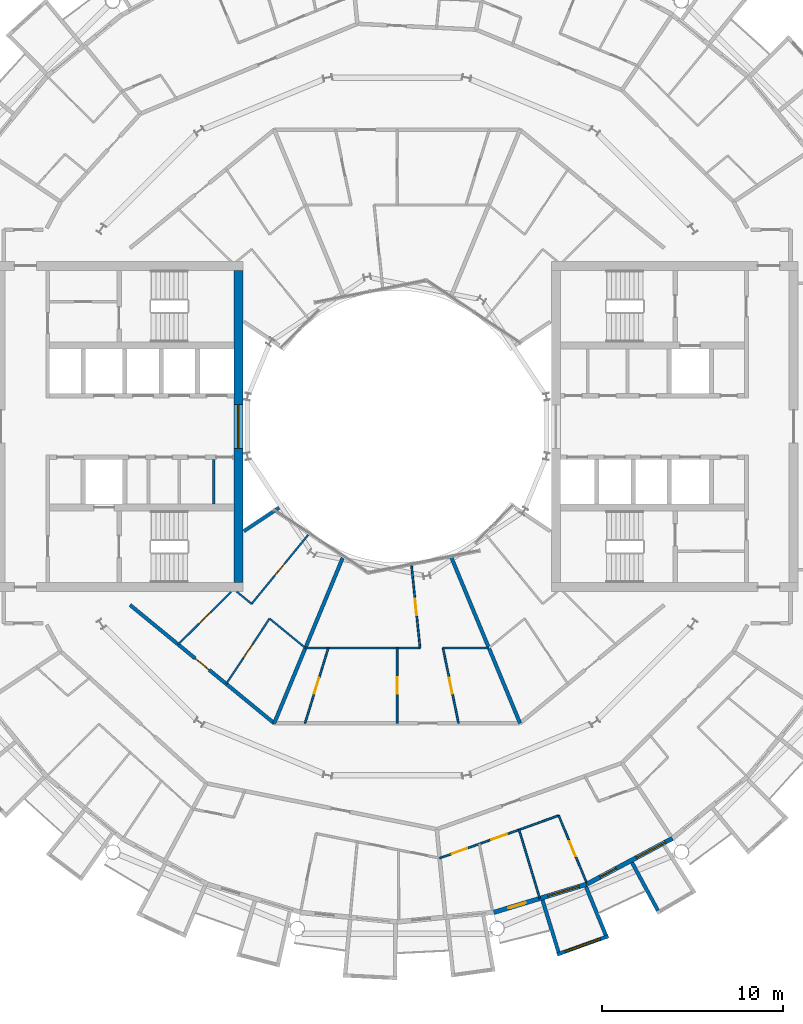
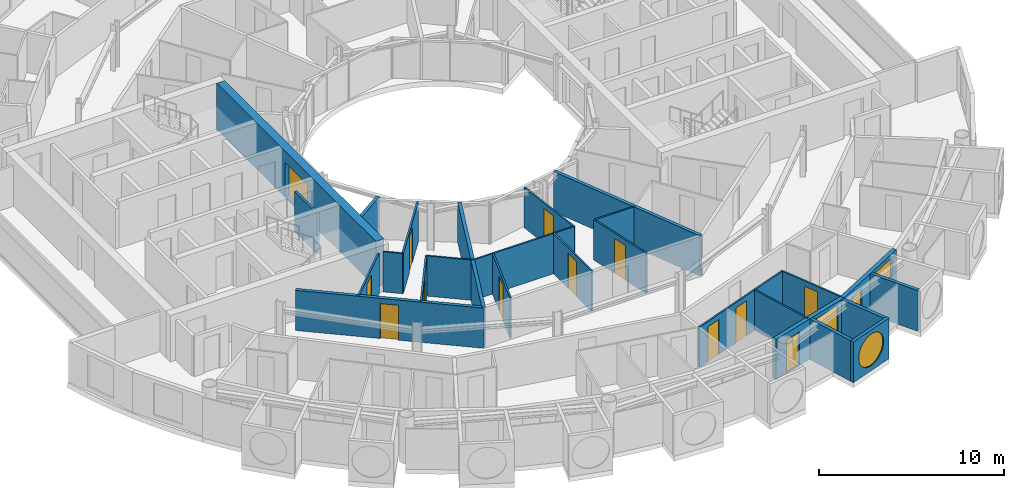
# One storey, part 16 of 26: 26 walls, 13 doors, 4 windows, 17 openings.
"""IFC4 building model written with IfcOpenShell, lengths in metres."""

from ifc_helpers import new_model, si_unit, direction, frame, frame_2d, origin, place, context, subcontext, project, spatial, rectangle, circle, extrude, material, layer, layer_set, type_object, element, fill, save


model = new_model("IFC4")

# Units and contexts
model_context = context("Model", 3, precision=1e-05, world=origin(), true_north=direction((0.0, 1.0)))
body_context = subcontext(model_context, "Body", "Model", "MODEL_VIEW")
ifc_project = project(units=[si_unit("LENGTHUNIT", "METRE"), si_unit("AREAUNIT", "SQUARE_METRE"), si_unit("VOLUMEUNIT", "CUBIC_METRE"), si_unit("PLANEANGLEUNIT", "RADIAN"), si_unit("MASSUNIT", "GRAM", prefix="KILO")], contexts=[model_context])

# Site, building, storey
site_placement = place(None, origin())
site = spatial("IfcSite", under=ifc_project, at=site_placement, CompositionType="ELEMENT")
building_placement = place(site_placement, origin())
building = spatial("IfcBuilding", under=site, at=building_placement, Name="Maasbend Ring Residences", CompositionType="ELEMENT")
storey_placement = place(building_placement, frame((0.0, 0.0, 176.85009765625)))
storey = spatial("IfcBuildingStorey", under=building, at=storey_placement, Name="L51", CompositionType="ELEMENT", Elevation=176.85009765625)

# Wall, opening, window
ifc_material_1 = material(Name="Concrete C60/75", Category="concrete")
ifc_layer_1 = layer(ifc_material_1, 0.5)
ifc_layer_set_1 = layer_set([ifc_layer_1], Name="Concrete C60/75")
wall_type_1 = type_object("IfcWallType", Name="CORE WALL 500 C60/75", PredefinedType="SHEAR", material=ifc_layer_set_1)
wall_1_placement = place(storey_placement, frame((-8.75, 8.60009765625, 0.0), z_axis=(0.0, 0.0, 1.0), x_axis=(0.0, -1.0, 0.0)))
wall_1 = element("IfcWall", 1, at=wall_1_placement, inside=storey, type_object=wall_type_1, Name="L51 core W wall PIN", PredefinedType="SHEAR", context=body_context, shape_type="SweptSolid", body=[
    extrude(rectangle(XDim=17.2001953125, YDim=0.5, at=frame_2d((8.60009765625, 0.0))), origin(), (0.0, 0.0, 1.0), 3.0498046875),
])
opening_1_placement = place(wall_1_placement, frame((7.39990234375, 0.0, 0.10009765625)))
opening_1 = element("IfcOpeningElement", 2, at=opening_1_placement, cuts=wall_1, Name="Opening W-W5101", PredefinedType="OPENING", context=body_context, shape_type="SweptSolid", body=[
    extrude(rectangle(XDim=2.39990234375, YDim=2.199951171875, at=frame_2d((1.199951171875, 1.10009765625))), frame((0.0, 0.260009765625, 0.0), z_axis=(0.0, -1.0, 0.0), x_axis=(1.0, 0.0, 0.0)), (0.0, 0.0, 1.0), 0.52001953125),
])
ifc_material_2 = material(Name="Aluminium frame and clear glass", Category="aluminium")
window_type_1 = type_object("IfcWindowType", Name="FIXED WINDOW 2400 X 2200", PartitioningType="SINGLE_PANEL", PredefinedType="WINDOW", material=ifc_material_2)
window_1_placement = place(opening_1_placement, origin())
window_1 = element("IfcWindow", 3, at=window_1_placement, inside=storey, type_object=window_type_1, Name="Lobby window L51", OverallHeight=2.199951171875, OverallWidth=2.39990234375, PartitioningType="SINGLE_PANEL", PredefinedType="WINDOW", context=body_context, shape_type="SweptSolid", body=[
    extrude(rectangle(XDim=2.39990234375, YDim=2.199951171875, at=frame_2d((1.199951171875, 1.10009765625))), frame((0.0, 0.030029296875, 0.0), z_axis=(0.0, -1.0, 0.0), x_axis=(1.0, 0.0, 0.0)), (0.0, 0.0, 1.0), 0.06005859375),
])
fill(opening_1, window_1)

# Wall, opening, door
ifc_material_3 = material(Name="Concrete C30/37", Category="concrete")
ifc_layer_2 = layer(ifc_material_3, 0.199951171875)
ifc_layer_set_2 = layer_set([ifc_layer_2], Name="Concrete C30/37")
wall_type_2 = type_object("IfcWallType", Name="CORRIDOR WALL 200 CONCRETE", PredefinedType="PARTITIONING", material=ifc_layer_set_2)
wall_2_placement = place(storey_placement, frame((-14.717041015625, -9.833984375, 0.0), z_axis=(0.0, 0.0, 1.0), x_axis=(0.773034536097, -0.634363938131, 0.0)))
wall_2 = element("IfcWall", 4, at=wall_2_placement, inside=storey, type_object=wall_type_2, Name="U-L51-w017", PredefinedType="PARTITIONING", context=body_context, shape_type="SweptSolid", body=[
    extrude(rectangle(XDim=10.276611328125, YDim=0.199951171875, at=frame_2d((5.13818359375, 0.0))), origin(), (0.0, 0.0, 1.0), 2.64990234375),
])
opening_2_placement = place(wall_2_placement, frame((4.637939453125, 0.0, 0.0)))
opening_2 = element("IfcOpeningElement", 5, at=opening_2_placement, cuts=wall_2, Name="Opening D-5152", PredefinedType="OPENING", context=body_context, shape_type="SweptSolid", body=[
    extrude(rectangle(XDim=1.0, YDim=2.300048828125, at=frame_2d((0.5, 1.14990234375))), frame((0.0, 0.10986328125, 0.0), z_axis=(0.0, -1.0, 0.0), x_axis=(1.0, 0.0, 0.0)), (0.0, 0.0, 1.0), 0.219970703125),
])
ifc_material_4 = material(Name="Timber, fire-rated, painted", Category="wood")
door_type_1 = type_object("IfcDoorType", Name="FLAT ENTRANCE DOOR 1000 X 2300 FIRE-RATED", OperationType="NOTDEFINED", PredefinedType="DOOR", material=ifc_material_4)
door_1_placement = place(opening_2_placement, origin())
door_1 = element("IfcDoor", 6, at=door_1_placement, inside=storey, type_object=door_type_1, Name="D-5152", OperationType="SINGLE_SWING_LEFT", OverallHeight=2.300048828125, OverallWidth=1.0, PredefinedType="DOOR", context=body_context, shape_type="SweptSolid", body=[
    extrude(rectangle(XDim=1.0, YDim=2.300048828125, at=frame_2d((0.5, 1.14990234375))), frame((0.0, 0.02490234375, 0.0), z_axis=(0.0, -1.0, 0.0), x_axis=(1.0, 0.0, 0.0)), (0.0, 0.0, 1.0), 0.050048828125),
])
fill(opening_2, door_1)

# Wall, opening, window
ifc_material_5 = material(Name="Pale anodised aluminium panel", Category="aluminium")
ifc_layer_3 = layer(ifc_material_5, 0.199951171875)
ifc_layer_set_3 = layer_set([ifc_layer_3], Name="EW-BOX")
wall_type_3 = type_object("IfcWallType", Name="EW-BOX", PredefinedType="SOLIDWALL", material=ifc_layer_set_3)
wall_3_placement = place(storey_placement, frame((8.820068359375, -29.093017578125, -0.030029296875), z_axis=(0.0, 0.0, 1.0), x_axis=(0.941461077774, 0.337121697664, 0.0)))
wall_3 = element("IfcWall", 7, at=wall_3_placement, inside=storey, type_object=wall_type_3, Name="Box front S14", PredefinedType="SOLIDWALL", context=body_context, shape_type="SweptSolid", body=[
    extrude(rectangle(XDim=2.9931640625, YDim=0.199951171875, at=frame_2d((1.49658203125, 0.0))), origin(), (0.0, 0.0, 1.0), 2.679931640625),
])
opening_3_placement = place(wall_3_placement, frame((0.45654296875, 0.0, 0.330078125)))
opening_3 = element("IfcOpeningElement", 8, at=opening_3_placement, cuts=wall_3, Name="Opening W-RD", PredefinedType="OPENING", context=body_context, shape_type="SweptSolid", body=[
    extrude(circle(Radius=1.0400390625, at=frame_2d((1.0400390625, 1.0400390625))), frame((0.0, 0.10986328125, 0.0), z_axis=(0.0, -1.0, 0.0), x_axis=(1.0, 0.0, 0.0)), (0.0, 0.0, 1.0), 0.219970703125),
])
ifc_material_6 = material(Name="Aluminium and clear glass", Category="aluminium")
window_type_2 = type_object("IfcWindowType", Name="W-RD", PartitioningType="SINGLE_PANEL", PredefinedType="WINDOW", material=ifc_material_6)
window_2_placement = place(opening_3_placement, origin())
window_2 = element("IfcWindow", 9, at=window_2_placement, inside=storey, type_object=window_type_2, Name="Round window S14", OverallHeight=2.080078125, OverallWidth=2.080078125, PartitioningType="SINGLE_PANEL", PredefinedType="WINDOW", context=body_context, shape_type="SweptSolid", body=[
    extrude(circle(Radius=1.0400390625, at=frame_2d((1.0400390625, 1.0400390625))), frame((0.0, 0.030029296875, 0.0), z_axis=(0.0, -1.0, 0.0), x_axis=(1.0, 0.0, 0.0)), (0.0, 0.0, 1.0), 0.06005859375),
])
fill(opening_3, window_2)

# Walls
wall_4_placement = place(storey_placement, frame((8.009033203125, -26.092041015625, -0.030029296875), z_axis=(0.0, 0.0, 1.0), x_axis=(0.293406695073, -0.955987715029, 0.0)))
element("IfcWall", 10, at=wall_4_placement, inside=storey, type_object=wall_type_3, Name="Box side wall S14 left", PredefinedType="SOLIDWALL", context=body_context, shape_type="SweptSolid", body=[
    extrude(rectangle(XDim=3.00634765625, YDim=0.199951171875, at=frame_2d((1.503173828125, 0.0))), origin(), (0.0, 0.0, 1.0), 2.679931640625),
])
wall_5_placement = place(storey_placement, frame((10.408935546875, -25.364013671875, -0.030029296875), z_axis=(0.0, 0.0, 1.0), x_axis=(0.379509886562, -0.925187681501, 0.0)))
element("IfcWall", 11, at=wall_5_placement, inside=storey, type_object=wall_type_3, Name="Box side wall S14 right", PredefinedType="SOLIDWALL", context=body_context, shape_type="SweptSolid", body=[
    extrude(rectangle(XDim=2.882568359375, YDim=0.199951171875, at=frame_2d((1.44140625, 0.0))), origin(), (0.0, 0.0, 1.0), 2.679931640625),
])
wall_6_placement = place(storey_placement, frame((12.945068359375, -24.029052734375, -0.030029296875), z_axis=(0.0, 0.0, 1.0), x_axis=(0.474424310775, -0.88029629861, 0.0)))
element("IfcWall", 12, at=wall_6_placement, inside=storey, type_object=wall_type_3, Name="Box side wall S16 left", PredefinedType="SOLIDWALL", context=body_context, shape_type="SweptSolid", body=[
    extrude(rectangle(XDim=3.005859375, YDim=0.199951171875, at=frame_2d((1.5029296875, 0.0))), origin(), (0.0, 0.0, 1.0), 2.679931640625),
])

# Wall, openings, door, window
ifc_material_7 = material(Name="Aluminium clad insulated panel", Category="aluminium")
ifc_layer_4 = layer(ifc_material_7, 0.25)
ifc_layer_set_4 = layer_set([ifc_layer_4], Name="EW-GL")
wall_type_4 = type_object("IfcWallType", Name="EW-GL", PredefinedType="SOLIDWALL", material=ifc_layer_set_4)
wall_7_placement = place(storey_placement, frame((5.325927734375, -26.77490234375, 0.0), z_axis=(0.0, 0.0, 1.0), x_axis=(0.956965678721, 0.290201119486, 0.0)))
wall_7 = element("IfcWall", 13, at=wall_7_placement, inside=storey, type_object=wall_type_4, Name="External wall S07", PredefinedType="SOLIDWALL", context=body_context, shape_type="SweptSolid", body=[
    extrude(rectangle(XDim=5.351318359375, YDim=0.25, at=frame_2d((2.67578125, 0.0))), origin(), (0.0, 0.0, 1.0), 2.64990234375),
])
opening_4_placement = place(wall_7_placement, frame((0.841064453125, 0.0, 0.0)))
opening_4 = element("IfcOpeningElement", 14, at=opening_4_placement, cuts=wall_7, Name="Opening D-LG", PredefinedType="OPENING", context=body_context, shape_type="SweptSolid", body=[
    extrude(rectangle(XDim=1.0, YDim=2.199951171875, at=frame_2d((0.5, 1.10009765625))), frame((0.0, 0.135009765625, 0.0), z_axis=(0.0, -1.0, 0.0), x_axis=(1.0, 0.0, 0.0)), (0.0, 0.0, 1.0), 0.27001953125),
])
opening_5_placement = place(wall_7_placement, frame((3.110595703125, 0.0, 0.300048828125)))
opening_5 = element("IfcOpeningElement", 15, at=opening_5_placement, cuts=wall_7, Name="Opening W-BX", PredefinedType="OPENING", context=body_context, shape_type="SweptSolid", body=[
    extrude(rectangle(XDim=1.800048828125, YDim=2.10009765625, at=frame_2d((0.89990234375, 1.050048828125))), frame((0.0, 0.135009765625, 0.0), z_axis=(0.0, -1.0, 0.0), x_axis=(1.0, 0.0, 0.0)), (0.0, 0.0, 1.0), 0.27001953125),
])
ifc_material_8 = material(Name="Aluminium and clear glass", Category="aluminium")
door_type_2 = type_object("IfcDoorType", Name="D-LG", OperationType="SINGLE_SWING_LEFT", PredefinedType="DOOR", material=ifc_material_8)
door_2_placement = place(opening_4_placement, origin())
door_2 = element("IfcDoor", 16, at=door_2_placement, inside=storey, type_object=door_type_2, Name="Loggia door S13", OperationType="SINGLE_SWING_LEFT", OverallHeight=2.199951171875, OverallWidth=1.0, PredefinedType="DOOR", context=body_context, shape_type="SweptSolid", body=[
    extrude(rectangle(XDim=1.0, YDim=2.199951171875, at=frame_2d((0.5, 1.10009765625))), frame((0.0, 0.02490234375, 0.0), z_axis=(0.0, -1.0, 0.0), x_axis=(1.0, 0.0, 0.0)), (0.0, 0.0, 1.0), 0.050048828125),
])
fill(opening_4, door_2)
ifc_material_9 = material(Name="Aluminium and clear glass", Category="aluminium")
window_type_3 = type_object("IfcWindowType", Name="W-BX", PartitioningType="DOUBLE_PANEL_VERTICAL", PredefinedType="WINDOW", material=ifc_material_9)
window_3_placement = place(opening_5_placement, origin())
window_3 = element("IfcWindow", 17, at=window_3_placement, inside=storey, type_object=window_type_3, Name="Window S14 room to box", OverallHeight=2.10009765625, OverallWidth=1.800048828125, PartitioningType="SINGLE_PANEL", PredefinedType="WINDOW", context=body_context, shape_type="SweptSolid", body=[
    extrude(rectangle(XDim=1.800048828125, YDim=2.10009765625, at=frame_2d((0.89990234375, 1.050048828125))), frame((0.0, 0.030029296875, 0.0), z_axis=(0.0, -1.0, 0.0), x_axis=(1.0, 0.0, 0.0)), (0.0, 0.0, 1.0), 0.06005859375),
])
fill(opening_5, window_3)

wall_8_placement = place(storey_placement, frame((10.447021484375, -25.221923828125, 0.0), z_axis=(0.0, 0.0, 1.0), x_axis=(0.881915646801, 0.471407246368, 0.0)))
wall_8 = element("IfcWall", 18, at=wall_8_placement, inside=storey, type_object=wall_type_4, Name="External wall S08", PredefinedType="SOLIDWALL", context=body_context, shape_type="SweptSolid", body=[
    extrude(rectangle(XDim=5.35205078125, YDim=0.25, at=frame_2d((2.676025390625, 0.0))), origin(), (0.0, 0.0, 1.0), 2.64990234375),
])
opening_6_placement = place(wall_8_placement, frame((0.841064453125, 0.0, 0.0)))
opening_6 = element("IfcOpeningElement", 19, at=opening_6_placement, cuts=wall_8, Name="Opening D-LG", PredefinedType="OPENING", context=body_context, shape_type="SweptSolid", body=[
    extrude(rectangle(XDim=1.0, YDim=2.199951171875, at=frame_2d((0.5, 1.10009765625))), frame((0.0, 0.135009765625, 0.0), z_axis=(0.0, -1.0, 0.0), x_axis=(1.0, 0.0, 0.0)), (0.0, 0.0, 1.0), 0.27001953125),
])
opening_7_placement = place(wall_8_placement, frame((3.110595703125, 0.0, 0.300048828125)))
opening_7 = element("IfcOpeningElement", 20, at=opening_7_placement, cuts=wall_8, Name="Opening W-BX", PredefinedType="OPENING", context=body_context, shape_type="SweptSolid", body=[
    extrude(rectangle(XDim=1.800048828125, YDim=2.10009765625, at=frame_2d((0.89990234375, 1.050048828125))), frame((0.0, 0.135009765625, 0.0), z_axis=(0.0, -1.0, 0.0), x_axis=(1.0, 0.0, 0.0)), (0.0, 0.0, 1.0), 0.27001953125),
])
door_3_placement = place(opening_6_placement, origin())
door_3 = element("IfcDoor", 21, at=door_3_placement, inside=storey, type_object=door_type_2, Name="Loggia door S15", OperationType="SINGLE_SWING_LEFT", OverallHeight=2.199951171875, OverallWidth=1.0, PredefinedType="DOOR", context=body_context, shape_type="SweptSolid", body=[
    extrude(rectangle(XDim=1.0, YDim=2.199951171875, at=frame_2d((0.5, 1.10009765625))), frame((0.0, 0.02490234375, 0.0), z_axis=(0.0, -1.0, 0.0), x_axis=(1.0, 0.0, 0.0)), (0.0, 0.0, 1.0), 0.050048828125),
])
fill(opening_6, door_3)
window_4_placement = place(opening_7_placement, origin())
window_4 = element("IfcWindow", 22, at=window_4_placement, inside=storey, type_object=window_type_3, Name="Window S16 room to box", OverallHeight=2.10009765625, OverallWidth=1.800048828125, PartitioningType="SINGLE_PANEL", PredefinedType="WINDOW", context=body_context, shape_type="SweptSolid", body=[
    extrude(rectangle(XDim=1.800048828125, YDim=2.10009765625, at=frame_2d((0.89990234375, 1.050048828125))), frame((0.0, 0.030029296875, 0.0), z_axis=(0.0, -1.0, 0.0), x_axis=(1.0, 0.0, 0.0)), (0.0, 0.0, 1.0), 0.06005859375),
])
fill(opening_7, window_4)

# Wall, openings, doors
ifc_material_10 = material(Name="Gypsum board on steel studs", Category="steel")
ifc_layer_5 = layer(ifc_material_10, 0.10009765625)
ifc_layer_set_5 = layer_set([ifc_layer_5], Name="PARTITION 100 GYPSUM")
wall_type_5 = type_object("IfcWallType", Name="PARTITION 100 GYPSUM", PredefinedType="PARTITIONING", material=ifc_layer_set_5)
wall_9_placement = place(storey_placement, frame((2.346923828125, -23.785888671875, 0.0), z_axis=(0.0, 0.0, 1.0), x_axis=(0.941468908751, 0.33709982773, 0.0)))
wall_9 = element("IfcWall", 23, at=wall_9_placement, inside=storey, type_object=wall_type_5, Name="U-L51-w005", PredefinedType="PARTITIONING", context=body_context, shape_type="SweptSolid", body=[
    extrude(rectangle(XDim=6.968017578125, YDim=0.10009765625, at=frame_2d((3.48388671875, 0.0))), origin(), (0.0, 0.0, 1.0), 2.64990234375),
])
opening_8_placement = place(wall_9_placement, frame((3.033935546875, 0.0, 0.0)))
opening_8 = element("IfcOpeningElement", 24, at=opening_8_placement, cuts=wall_9, Name="Opening D-5146", PredefinedType="OPENING", context=body_context, shape_type="SweptSolid", body=[
    extrude(rectangle(XDim=0.89990234375, YDim=2.300048828125, at=frame_2d((0.449951171875, 1.14990234375))), frame((0.0, 0.06005859375, 0.0), z_axis=(0.0, -1.0, 0.0), x_axis=(1.0, 0.0, 0.0)), (0.0, 0.0, 1.0), 0.1201171875),
])
opening_9_placement = place(wall_9_placement, frame((0.7080078125, 0.0, 0.0)))
opening_9 = element("IfcOpeningElement", 25, at=opening_9_placement, cuts=wall_9, Name="Opening D-5147", PredefinedType="OPENING", context=body_context, shape_type="SweptSolid", body=[
    extrude(rectangle(XDim=0.89990234375, YDim=2.300048828125, at=frame_2d((0.449951171875, 1.14990234375))), frame((0.0, 0.06005859375, 0.0), z_axis=(0.0, -1.0, 0.0), x_axis=(1.0, 0.0, 0.0)), (0.0, 0.0, 1.0), 0.1201171875),
])
ifc_material_11 = material(Name="Timber, painted", Category="wood")
door_type_3 = type_object("IfcDoorType", Name="INTERNAL DOOR 900 X 2300", OperationType="NOTDEFINED", PredefinedType="DOOR", material=ifc_material_11)
door_4_placement = place(opening_8_placement, origin())
door_4 = element("IfcDoor", 26, at=door_4_placement, inside=storey, type_object=door_type_3, Name="D-5146", OperationType="SINGLE_SWING_RIGHT", OverallHeight=2.300048828125, OverallWidth=0.89990234375, PredefinedType="DOOR", context=body_context, shape_type="SweptSolid", body=[
    extrude(rectangle(XDim=0.89990234375, YDim=2.300048828125, at=frame_2d((0.449951171875, 1.14990234375))), frame((0.0, 0.02490234375, 0.0), z_axis=(0.0, -1.0, 0.0), x_axis=(1.0, 0.0, 0.0)), (0.0, 0.0, 1.0), 0.050048828125),
])
fill(opening_8, door_4)
door_5_placement = place(opening_9_placement, origin())
door_5 = element("IfcDoor", 27, at=door_5_placement, inside=storey, type_object=door_type_3, Name="D-5147", OperationType="SINGLE_SWING_LEFT", OverallHeight=2.300048828125, OverallWidth=0.89990234375, PredefinedType="DOOR", context=body_context, shape_type="SweptSolid", body=[
    extrude(rectangle(XDim=0.89990234375, YDim=2.300048828125, at=frame_2d((0.449951171875, 1.14990234375))), frame((0.0, 0.02490234375, 0.0), z_axis=(0.0, -1.0, 0.0), x_axis=(1.0, 0.0, 0.0)), (0.0, 0.0, 1.0), 0.050048828125),
])
fill(opening_9, door_5)

# Walls
wall_10_placement = place(storey_placement, frame((-8.839111328125, -9.097900390625, 0.0), z_axis=(0.0, 0.0, 1.0), x_axis=(0.7731800648, -0.634186555673, 0.0)))
element("IfcWall", 28, at=wall_10_placement, inside=storey, type_object=wall_type_5, Name="U-L51-w020", PredefinedType="PARTITIONING", context=body_context, shape_type="SweptSolid", body=[
    extrude(rectangle(XDim=1.064453125, YDim=0.10009765625, at=frame_2d((0.5322265625, 0.0))), origin(), (0.0, 0.0, 1.0), 2.64990234375),
])
wall_11_placement = place(storey_placement, frame((-7.031005859375, -10.58203125, 0.0), z_axis=(0.0, 0.0, 1.0), x_axis=(0.772943675046, -0.634474645046, 0.0)))
element("IfcWall", 29, at=wall_11_placement, inside=storey, type_object=wall_type_5, Name="U-L51-w021", PredefinedType="PARTITIONING", context=body_context, shape_type="SweptSolid", body=[
    extrude(rectangle(XDim=2.556640625, YDim=0.10009765625, at=frame_2d((1.2783203125, 0.0))), origin(), (0.0, 0.0, 1.0), 2.64990234375),
])
wall_12_placement = place(storey_placement, frame((-5.054931640625, -12.2041015625, 0.0), z_axis=(0.0, 0.0, 1.0), x_axis=(1.0, 0.0, 0.0)))
element("IfcWall", 30, at=wall_12_placement, inside=storey, type_object=wall_type_5, Name="U-L51-w024", PredefinedType="PARTITIONING", context=body_context, shape_type="SweptSolid", body=[
    extrude(rectangle(XDim=6.31884765625, YDim=0.10009765625, at=frame_2d((3.159423828125, 0.0))), origin(), (0.0, 0.0, 1.0), 2.64990234375),
])
wall_13_placement = place(storey_placement, frame((2.527099609375, -12.2041015625, 0.0), z_axis=(0.0, 0.0, 1.0), x_axis=(1.0, 0.0, 0.0)))
element("IfcWall", 31, at=wall_13_placement, inside=storey, type_object=wall_type_5, Name="U-L51-w025", PredefinedType="PARTITIONING", context=body_context, shape_type="SweptSolid", body=[
    extrude(rectangle(XDim=2.52783203125, YDim=0.10009765625, at=frame_2d((1.263916015625, 0.0))), origin(), (0.0, 0.0, 1.0), 2.64990234375),
])

# Wall, opening, door
wall_14_placement = place(storey_placement, frame((-12.06494140625, -12.010986328125, 0.0), z_axis=(0.0, 0.0, 1.0), x_axis=(0.708793214553, 0.705416316088, 0.0)))
wall_14 = element("IfcWall", 32, at=wall_14_placement, inside=storey, type_object=wall_type_5, Name="U-L51-w044", PredefinedType="PARTITIONING", context=body_context, shape_type="SweptSolid", body=[
    extrude(rectangle(XDim=4.120849609375, YDim=0.10009765625, at=frame_2d((2.060546875, 0.0))), origin(), (0.0, 0.0, 1.0), 2.64990234375),
])
opening_10_placement = place(wall_14_placement, frame((1.611083984375, 0.0, 0.0)))
opening_10 = element("IfcOpeningElement", 33, at=opening_10_placement, cuts=wall_14, Name="Opening D-5154", PredefinedType="OPENING", context=body_context, shape_type="SweptSolid", body=[
    extrude(rectangle(XDim=0.89990234375, YDim=2.300048828125, at=frame_2d((0.449951171875, 1.14990234375))), frame((0.0, 0.06005859375, 0.0), z_axis=(0.0, -1.0, 0.0), x_axis=(1.0, 0.0, 0.0)), (0.0, 0.0, 1.0), 0.1201171875),
])
door_6_placement = place(opening_10_placement, origin())
door_6 = element("IfcDoor", 34, at=door_6_placement, inside=storey, type_object=door_type_3, Name="D-5154", OperationType="SINGLE_SWING_LEFT", OverallHeight=2.300048828125, OverallWidth=0.89990234375, PredefinedType="DOOR", context=body_context, shape_type="SweptSolid", body=[
    extrude(rectangle(XDim=0.89990234375, YDim=2.300048828125, at=frame_2d((0.449951171875, 1.14990234375))), frame((0.0, 0.02490234375, 0.0), z_axis=(0.0, -1.0, 0.0), x_axis=(1.0, 0.0, 0.0)), (0.0, 0.0, 1.0), 0.050048828125),
])
fill(opening_10, door_6)

wall_15_placement = place(storey_placement, frame((-9.41796875, -14.181884765625, 0.0), z_axis=(0.0, 0.0, 1.0), x_axis=(0.553303732327, 0.832979579457, 0.0)))
wall_15 = element("IfcWall", 35, at=wall_15_placement, inside=storey, type_object=wall_type_5, Name="U-L51-w047", PredefinedType="PARTITIONING", context=body_context, shape_type="SweptSolid", body=[
    extrude(rectangle(XDim=4.3193359375, YDim=0.10009765625, at=frame_2d((2.15966796875, 0.0))), origin(), (0.0, 0.0, 1.0), 2.64990234375),
])
opening_11_placement = place(wall_15_placement, frame((1.7099609375, 0.0, 0.0)))
opening_11 = element("IfcOpeningElement", 36, at=opening_11_placement, cuts=wall_15, Name="Opening D-5153", PredefinedType="OPENING", context=body_context, shape_type="SweptSolid", body=[
    extrude(rectangle(XDim=0.89990234375, YDim=2.300048828125, at=frame_2d((0.449951171875, 1.14990234375))), frame((0.0, 0.06005859375, 0.0), z_axis=(0.0, -1.0, 0.0), x_axis=(1.0, 0.0, 0.0)), (0.0, 0.0, 1.0), 0.1201171875),
])
door_7_placement = place(opening_11_placement, origin())
door_7 = element("IfcDoor", 37, at=door_7_placement, inside=storey, type_object=door_type_3, Name="D-5153", OperationType="SINGLE_SWING_RIGHT", OverallHeight=2.300048828125, OverallWidth=0.89990234375, PredefinedType="DOOR", context=body_context, shape_type="SweptSolid", body=[
    extrude(rectangle(XDim=0.89990234375, YDim=2.300048828125, at=frame_2d((0.449951171875, 1.14990234375))), frame((0.0, 0.02490234375, 0.0), z_axis=(0.0, -1.0, 0.0), x_axis=(1.0, 0.0, 0.0)), (0.0, 0.0, 1.0), 0.050048828125),
])
fill(opening_11, door_7)

wall_16_placement = place(storey_placement, frame((-8.01904296875, -9.77099609375, 0.0), z_axis=(0.0, 0.0, 1.0), x_axis=(0.634401778971, 0.773003481776, 0.0)))
wall_16 = element("IfcWall", 38, at=wall_16_placement, inside=storey, type_object=wall_type_5, Name="U-L51-w049", PredefinedType="PARTITIONING", context=body_context, shape_type="SweptSolid", body=[
    extrude(rectangle(XDim=4.919677734375, YDim=0.10009765625, at=frame_2d((2.4599609375, 0.0))), origin(), (0.0, 0.0, 1.0), 2.64990234375),
])
opening_12_placement = place(wall_16_placement, frame((2.010009765625, 0.0, 0.0)))
opening_12 = element("IfcOpeningElement", 39, at=opening_12_placement, cuts=wall_16, Name="Opening D-5155", PredefinedType="OPENING", context=body_context, shape_type="SweptSolid", body=[
    extrude(rectangle(XDim=0.89990234375, YDim=2.300048828125, at=frame_2d((0.449951171875, 1.14990234375))), frame((0.0, 0.06005859375, 0.0), z_axis=(0.0, -1.0, 0.0), x_axis=(1.0, 0.0, 0.0)), (0.0, 0.0, 1.0), 0.1201171875),
])
door_8_placement = place(opening_12_placement, origin())
door_8 = element("IfcDoor", 40, at=door_8_placement, inside=storey, type_object=door_type_3, Name="D-5155", OperationType="SINGLE_SWING_LEFT", OverallHeight=2.300048828125, OverallWidth=0.89990234375, PredefinedType="DOOR", context=body_context, shape_type="SweptSolid", body=[
    extrude(rectangle(XDim=0.89990234375, YDim=2.300048828125, at=frame_2d((0.449951171875, 1.14990234375))), frame((0.0, 0.02490234375, 0.0), z_axis=(0.0, -1.0, 0.0), x_axis=(1.0, 0.0, 0.0)), (0.0, 0.0, 1.0), 0.050048828125),
])
fill(opening_12, door_8)

wall_17_placement = place(storey_placement, frame((-5.080078125, -16.35302734375, 0.0), z_axis=(0.0, 0.0, 1.0), x_axis=(0.29670674532, 0.954968642041, 0.0)))
wall_17 = element("IfcWall", 41, at=wall_17_placement, inside=storey, type_object=wall_type_5, Name="U-L51-w055", PredefinedType="PARTITIONING", context=body_context, shape_type="SweptSolid", body=[
    extrude(rectangle(XDim=4.344482421875, YDim=0.10009765625, at=frame_2d((2.17236328125, 0.0))), origin(), (0.0, 0.0, 1.0), 2.64990234375),
])
opening_13_placement = place(wall_17_placement, frame((1.721923828125, 0.0, 0.0)))
opening_13 = element("IfcOpeningElement", 42, at=opening_13_placement, cuts=wall_17, Name="Opening D-5159", PredefinedType="OPENING", context=body_context, shape_type="SweptSolid", body=[
    extrude(rectangle(XDim=0.89990234375, YDim=2.300048828125, at=frame_2d((0.449951171875, 1.14990234375))), frame((0.0, 0.06005859375, 0.0), z_axis=(0.0, -1.0, 0.0), x_axis=(1.0, 0.0, 0.0)), (0.0, 0.0, 1.0), 0.1201171875),
])
door_9_placement = place(opening_13_placement, origin())
door_9 = element("IfcDoor", 43, at=door_9_placement, inside=storey, type_object=door_type_3, Name="D-5159", OperationType="SINGLE_SWING_LEFT", OverallHeight=2.300048828125, OverallWidth=0.89990234375, PredefinedType="DOOR", context=body_context, shape_type="SweptSolid", body=[
    extrude(rectangle(XDim=0.89990234375, YDim=2.300048828125, at=frame_2d((0.449951171875, 1.14990234375))), frame((0.0, 0.02490234375, 0.0), z_axis=(0.0, -1.0, 0.0), x_axis=(1.0, 0.0, 0.0)), (0.0, 0.0, 1.0), 0.050048828125),
])
fill(opening_13, door_9)

wall_18_placement = place(storey_placement, frame((0.0, -16.35302734375, 0.0), z_axis=(0.0, 0.0, 1.0), x_axis=(0.0, 1.0, 0.0)))
wall_18 = element("IfcWall", 44, at=wall_18_placement, inside=storey, type_object=wall_type_5, Name="U-L51-w061", PredefinedType="PARTITIONING", context=body_context, shape_type="SweptSolid", body=[
    extrude(rectangle(XDim=4.14892578125, YDim=0.10009765625, at=frame_2d((2.074462890625, 0.0))), origin(), (0.0, 0.0, 1.0), 2.64990234375),
])
opening_14_placement = place(wall_18_placement, frame((1.625, 0.0, 0.0)))
opening_14 = element("IfcOpeningElement", 45, at=opening_14_placement, cuts=wall_18, Name="Opening D-5158", PredefinedType="OPENING", context=body_context, shape_type="SweptSolid", body=[
    extrude(rectangle(XDim=0.89990234375, YDim=2.300048828125, at=frame_2d((0.449951171875, 1.14990234375))), frame((0.0, 0.06005859375, 0.0), z_axis=(0.0, -1.0, 0.0), x_axis=(1.0, 0.0, 0.0)), (0.0, 0.0, 1.0), 0.1201171875),
])
door_10_placement = place(opening_14_placement, origin())
door_10 = element("IfcDoor", 46, at=door_10_placement, inside=storey, type_object=door_type_3, Name="D-5158", OperationType="SINGLE_SWING_RIGHT", OverallHeight=2.300048828125, OverallWidth=0.89990234375, PredefinedType="DOOR", context=body_context, shape_type="SweptSolid", body=[
    extrude(rectangle(XDim=0.89990234375, YDim=2.300048828125, at=frame_2d((0.449951171875, 1.14990234375))), frame((0.0, 0.02490234375, 0.0), z_axis=(0.0, -1.0, 0.0), x_axis=(1.0, 0.0, 0.0)), (0.0, 0.0, 1.0), 0.050048828125),
])
fill(opening_14, door_10)

wall_19_placement = place(storey_placement, frame((0.794921875, -7.678955078125, 0.0), z_axis=(0.0, 0.0, 1.0), x_axis=(0.103089563582, -0.994672077561, 0.0)))
wall_19 = element("IfcWall", 47, at=wall_19_placement, inside=storey, type_object=wall_type_5, Name="U-L51-w064", PredefinedType="PARTITIONING", context=body_context, shape_type="SweptSolid", body=[
    extrude(rectangle(XDim=4.54931640625, YDim=0.10009765625, at=frame_2d((2.274658203125, 0.0))), origin(), (0.0, 0.0, 1.0), 2.64990234375),
])
opening_15_placement = place(wall_19_placement, frame((1.824951171875, 0.0, 0.0)))
opening_15 = element("IfcOpeningElement", 48, at=opening_15_placement, cuts=wall_19, Name="Opening D-5160", PredefinedType="OPENING", context=body_context, shape_type="SweptSolid", body=[
    extrude(rectangle(XDim=0.89990234375, YDim=2.300048828125, at=frame_2d((0.449951171875, 1.14990234375))), frame((0.0, 0.06005859375, 0.0), z_axis=(0.0, -1.0, 0.0), x_axis=(1.0, 0.0, 0.0)), (0.0, 0.0, 1.0), 0.1201171875),
])
door_11_placement = place(opening_15_placement, origin())
door_11 = element("IfcDoor", 49, at=door_11_placement, inside=storey, type_object=door_type_3, Name="D-5160", OperationType="SINGLE_SWING_RIGHT", OverallHeight=2.300048828125, OverallWidth=0.89990234375, PredefinedType="DOOR", context=body_context, shape_type="SweptSolid", body=[
    extrude(rectangle(XDim=0.89990234375, YDim=2.300048828125, at=frame_2d((0.449951171875, 1.14990234375))), frame((0.0, 0.02490234375, 0.0), z_axis=(0.0, -1.0, 0.0), x_axis=(1.0, 0.0, 0.0)), (0.0, 0.0, 1.0), 0.050048828125),
])
fill(opening_15, door_11)

wall_20_placement = place(storey_placement, frame((2.527099609375, -12.2041015625, 0.0), z_axis=(0.0, 0.0, 1.0), x_axis=(0.202937120105, -0.979191771454, 0.0)))
wall_20 = element("IfcWall", 50, at=wall_20_placement, inside=storey, type_object=wall_type_5, Name="U-L51-w067", PredefinedType="PARTITIONING", context=body_context, shape_type="SweptSolid", body=[
    extrude(rectangle(XDim=4.237060546875, YDim=0.10009765625, at=frame_2d((2.11865234375, 0.0))), origin(), (0.0, 0.0, 1.0), 2.64990234375),
])
opening_16_placement = place(wall_20_placement, frame((1.6689453125, 0.0, 0.0)))
opening_16 = element("IfcOpeningElement", 51, at=opening_16_placement, cuts=wall_20, Name="Opening D-5157", PredefinedType="OPENING", context=body_context, shape_type="SweptSolid", body=[
    extrude(rectangle(XDim=0.89990234375, YDim=2.300048828125, at=frame_2d((0.449951171875, 1.14990234375))), frame((0.0, 0.06005859375, 0.0), z_axis=(0.0, -1.0, 0.0), x_axis=(1.0, 0.0, 0.0)), (0.0, 0.0, 1.0), 0.1201171875),
])
door_12_placement = place(opening_16_placement, origin())
door_12 = element("IfcDoor", 52, at=door_12_placement, inside=storey, type_object=door_type_3, Name="D-5157", OperationType="SINGLE_SWING_RIGHT", OverallHeight=2.300048828125, OverallWidth=0.89990234375, PredefinedType="DOOR", context=body_context, shape_type="SweptSolid", body=[
    extrude(rectangle(XDim=0.89990234375, YDim=2.300048828125, at=frame_2d((0.449951171875, 1.14990234375))), frame((0.0, 0.02490234375, 0.0), z_axis=(0.0, -1.0, 0.0), x_axis=(1.0, 0.0, 0.0)), (0.0, 0.0, 1.0), 0.050048828125),
])
fill(opening_16, door_12)

# Wall
wall_21_placement = place(storey_placement, frame((6.717041015625, -22.219970703125, 0.0), z_axis=(0.0, 0.0, 1.0), x_axis=(0.289292320694, -0.957240802091, 0.0)))
element("IfcWall", 53, at=wall_21_placement, inside=storey, type_object=wall_type_5, Name="U-L51-w075", PredefinedType="PARTITIONING", context=body_context, shape_type="SweptSolid", body=[
    extrude(rectangle(XDim=3.96142578125, YDim=0.10009765625, at=frame_2d((1.980712890625, 0.0))), origin(), (0.0, 0.0, 1.0), 2.64990234375),
])

# Wall, opening, door
wall_22_placement = place(storey_placement, frame((8.904052734375, -21.43701171875, 0.0), z_axis=(0.0, 0.0, 1.0), x_axis=(0.383639475888, -0.923482946535, 0.0)))
wall_22 = element("IfcWall", 54, at=wall_22_placement, inside=storey, type_object=wall_type_5, Name="U-L51-w078", PredefinedType="PARTITIONING", context=body_context, shape_type="SweptSolid", body=[
    extrude(rectangle(XDim=3.962158203125, YDim=0.10009765625, at=frame_2d((1.98095703125, 0.0))), origin(), (0.0, 0.0, 1.0), 2.64990234375),
])
opening_17_placement = place(wall_22_placement, frame((1.531005859375, 0.0, 0.0)))
opening_17 = element("IfcOpeningElement", 55, at=opening_17_placement, cuts=wall_22, Name="Opening D-5145", PredefinedType="OPENING", context=body_context, shape_type="SweptSolid", body=[
    extrude(rectangle(XDim=0.89990234375, YDim=2.300048828125, at=frame_2d((0.449951171875, 1.14990234375))), frame((0.0, 0.06005859375, 0.0), z_axis=(0.0, -1.0, 0.0), x_axis=(1.0, 0.0, 0.0)), (0.0, 0.0, 1.0), 0.1201171875),
])
door_13_placement = place(opening_17_placement, origin())
door_13 = element("IfcDoor", 56, at=door_13_placement, inside=storey, type_object=door_type_3, Name="D-5145", OperationType="SINGLE_SWING_LEFT", OverallHeight=2.300048828125, OverallWidth=0.89990234375, PredefinedType="DOOR", context=body_context, shape_type="SweptSolid", body=[
    extrude(rectangle(XDim=0.89990234375, YDim=2.300048828125, at=frame_2d((0.449951171875, 1.14990234375))), frame((0.0, 0.02490234375, 0.0), z_axis=(0.0, -1.0, 0.0), x_axis=(1.0, 0.0, 0.0)), (0.0, 0.0, 1.0), 0.050048828125),
])
fill(opening_17, door_13)

# Walls
ifc_material_12 = material(Name="Gypsum board on steel studs", Category="steel")
ifc_layer_6 = layer(ifc_material_12, 0.14990234375)
ifc_layer_set_6 = layer_set([ifc_layer_6], Name="PARTITION 150 EI 60")
wall_type_6 = type_object("IfcWallType", Name="PARTITION 150 EI 60", PredefinedType="PARTITIONING", material=ifc_layer_set_6)
wall_23_placement = place(storey_placement, frame((-10.10009765625, -1.824951171875, 0.0), z_axis=(0.0, 0.0, 1.0), x_axis=(0.0, -1.0, 0.0)))
element("IfcWall", 57, at=wall_23_placement, inside=storey, type_object=wall_type_6, Name="L51 core W wall PRN1010", PredefinedType="PARTITIONING", context=body_context, shape_type="SweptSolid", body=[
    extrude(rectangle(XDim=2.449951171875, YDim=0.14990234375, at=frame_2d((1.22509765625, 0.0))), origin(), (0.0, 0.0, 1.0), 2.64990234375),
])
ifc_material_13 = material(Name="Concrete C30/37", Category="concrete")
ifc_layer_7 = layer(ifc_material_13, 0.199951171875)
ifc_layer_set_7 = layer_set([ifc_layer_7], Name="Concrete C30/37")
wall_type_7 = type_object("IfcWallType", Name="PARTY WALL 200 CONCRETE", PredefinedType="PARTITIONING", material=ifc_layer_set_7)
wall_24_placement = place(storey_placement, frame((-6.512939453125, -4.471923828125, 0.0), z_axis=(0.0, 0.0, 1.0), x_axis=(-0.83133816625, -0.555766905579, 0.0)))
element("IfcWall", 58, at=wall_24_placement, inside=storey, type_object=wall_type_7, Name="U-L51-w028", PredefinedType="PARTITIONING", context=body_context, shape_type="SweptSolid", body=[
    extrude(rectangle(XDim=2.322998046875, YDim=0.199951171875, at=frame_2d((1.16162109375, 0.0))), origin(), (0.0, 0.0, 1.0), 2.64990234375),
])
wall_25_placement = place(storey_placement, frame((-6.77294921875, -16.35302734375, 0.0), z_axis=(0.0, 0.0, 1.0), x_axis=(0.382632652025, 0.923900564782, 0.0)))
element("IfcWall", 59, at=wall_25_placement, inside=storey, type_object=wall_type_7, Name="U-L51-w051", PredefinedType="PARTITIONING", context=body_context, shape_type="SweptSolid", body=[
    extrude(rectangle(XDim=9.98046875, YDim=0.199951171875, at=frame_2d((4.990234375, 0.0))), origin(), (0.0, 0.0, 1.0), 2.64990234375),
])
wall_26_placement = place(storey_placement, frame((2.955078125, -7.132080078125, 0.0), z_axis=(0.0, 0.0, 1.0), x_axis=(0.382750767534, -0.923851638496, 0.0)))
element("IfcWall", 60, at=wall_26_placement, inside=storey, type_object=wall_type_7, Name="U-L51-w069", PredefinedType="PARTITIONING", context=body_context, shape_type="SweptSolid", body=[
    extrude(rectangle(XDim=9.97998046875, YDim=0.199951171875, at=frame_2d((4.989990234375, 0.0))), origin(), (0.0, 0.0, 1.0), 2.64990234375),
])

save(model, "model.ifc")
